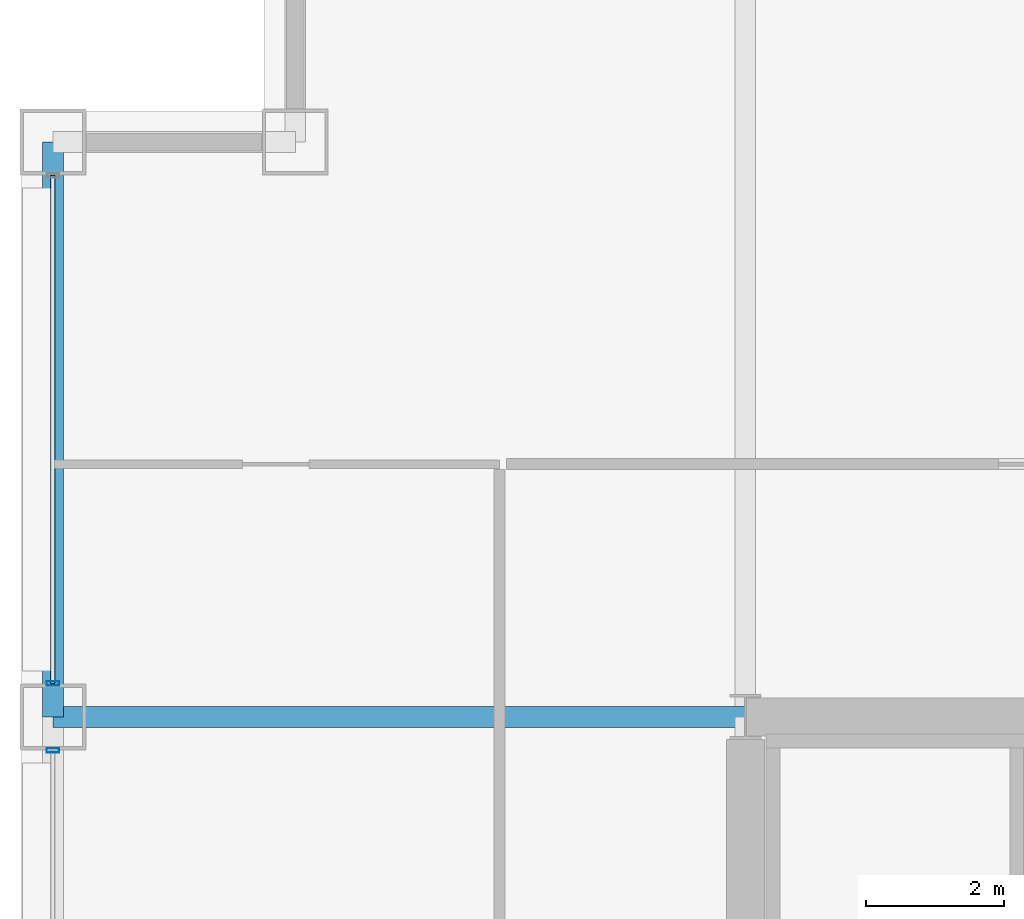
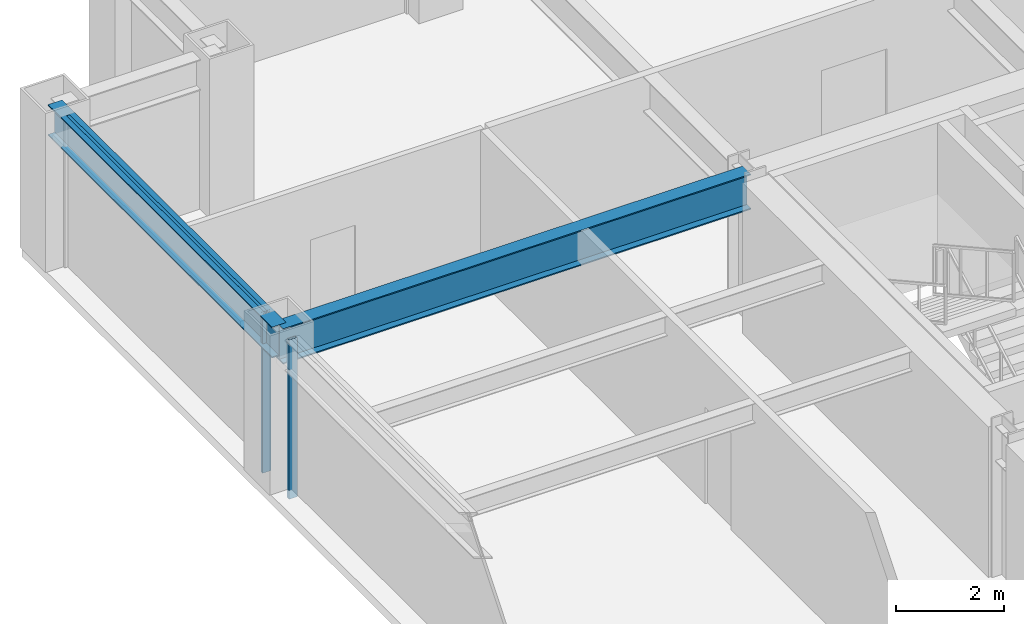
# One storey, part 15 of 31: 3 members, 2 beams, 2 elements without a shape of their own.
"""IFC4 building model written with IfcOpenShell, lengths in metres."""

from ifc_helpers import new_model, si_unit, direction, frame, origin, origin_2d, place, context, subcontext, project, spatial, hollow_rectangle, i_section, extrude, material, layer, layer_set, material_profile, profile_set, type_object, element, aggregate, save


model = new_model("IFC4")

# Units and contexts
model_context = context("Model", 3, precision=1e-05, world=origin(), true_north=direction((0.0, 1.0)))
body_context = subcontext(model_context, "Body", "Model", "MODEL_VIEW")
ifc_project = project(units=[si_unit("LENGTHUNIT", "METRE"), si_unit("AREAUNIT", "SQUARE_METRE"), si_unit("VOLUMEUNIT", "CUBIC_METRE"), si_unit("PLANEANGLEUNIT", "RADIAN"), si_unit("MASSUNIT", "GRAM", prefix="KILO")], contexts=[model_context])

# Site, building, storey
site_placement = place(None, origin())
site = spatial("IfcSite", under=ifc_project, at=site_placement, CompositionType="ELEMENT")
building_placement = place(site_placement, origin())
building = spatial("IfcBuilding", under=site, at=building_placement, Name="Brelmoor Portico Tower", CompositionType="ELEMENT")
storey_placement = place(building_placement, frame((0.0, 0.0, 38.39990234375)))
storey = spatial("IfcBuildingStorey", under=building, at=storey_placement, Name="L09", CompositionType="ELEMENT", Elevation=38.39990234375)

# Beams
ifc_material_1 = material(Name="Steel Q355B", Category="steel")
ifc_material_profile_1 = material_profile(ifc_material_1, i_section(OverallWidth=0.300048828125, OverallDepth=0.800048828125, WebThickness=0.013916015625, FlangeThickness=0.02587890625, at=origin_2d()), Name="HN 800x300x14x26")
ifc_profile_set_1 = profile_set([ifc_material_profile_1], Name="Steel Q355B")
beam_type_1 = type_object("IfcBeamType", Name="BM-PG-800", PredefinedType="BEAM", material=ifc_profile_set_1)
beam_1_placement = place(storey_placement, frame((-24.550048828125, 9.75, 3.0), z_axis=(1.0, 0.0, 0.0), x_axis=(0.0, 1.0, 0.0)))
element("IfcBeam", 1, at=beam_1_placement, inside=storey, type_object=beam_type_1, Name="L09 Primary Floor Girder PG-27", PredefinedType="BEAM", context=body_context, shape_type="SweptSolid", body=[
    extrude(i_section(OverallWidth=0.300048828125, OverallDepth=0.800048828125, WebThickness=0.013916015625, FlangeThickness=0.02587890625, at=origin_2d()), origin(), (0.0, 0.0, 1.0), 10.0),
])
ifc_material_profile_2 = material_profile(ifc_material_1, i_section(OverallWidth=0.300048828125, OverallDepth=0.699951171875, WebThickness=0.012939453125, FlangeThickness=0.02392578125, at=origin_2d()), Name="HN 700x300x13x24")
ifc_profile_set_2 = profile_set([ifc_material_profile_2], Name="Steel Q355B")
beam_type_2 = type_object("IfcBeamType", Name="BM-SP-700", PredefinedType="SPANDREL", material=ifc_profile_set_2)
beam_2_placement = place(storey_placement, frame((-24.550048828125, 9.75, 3.050048828125), z_axis=(0.0, 1.0, 0.0), x_axis=(-1.0, 0.0, 0.0)))
element("IfcBeam", 2, at=beam_2_placement, inside=storey, type_object=beam_type_2, Name="L09 Perimeter Spandrel Beam SP-17", PredefinedType="SPANDREL", context=body_context, shape_type="SweptSolid", body=[
    extrude(i_section(OverallWidth=0.300048828125, OverallDepth=0.699951171875, WebThickness=0.012939453125, FlangeThickness=0.02392578125, at=origin_2d()), origin(), (0.0, 0.0, 1.0), 8.300048828125),
])

# Curtain wall, member
ifc_material_2 = material(Name="Anodised Aluminium Alloy 6063-T6", Category="aluminium")
ifc_layer = layer(ifc_material_2, 0.179931640625)
ifc_layer_set = layer_set([ifc_layer], Name="Anodised Aluminium Alloy 6063-T6")
curtain_wall_type = type_object("IfcCurtainWallType", Name="CW-TOWER-Z1-XB", PredefinedType="NOTDEFINED", material=ifc_layer_set)
curtain_wall_1_placement = place(storey_placement, origin())
curtain_wall_1 = element("IfcCurtainWall", 3, at=curtain_wall_1_placement, inside=storey, type_object=curtain_wall_type, Name="L09 Curtain Wall CW-L09-03-2", PredefinedType="NOTDEFINED")
ifc_material_profile_3 = material_profile(ifc_material_2, hollow_rectangle(XDim=0.06494140625, YDim=0.179931640625, WallThickness=0.00390625, at=origin_2d()), Name="ALU MULLION 65x180")
ifc_profile_set_3 = profile_set([ifc_material_profile_3], Name="Anodised Aluminium Alloy 6063-T6")
member_type_1 = type_object("IfcMemberType", Name="MB-CW-MULL-180", PredefinedType="MULLION", material=ifc_profile_set_3)
member_1_placement = place(storey_placement, frame((-24.550048828125, 9.264892578125, -0.199951171875), z_axis=(0.0, 0.0, 1.0), x_axis=(0.0, 1.0, 0.0)))
member_1 = element("IfcMember", 4, at=member_1_placement, type_object=member_type_1, Name="CW-L09-03-2 Mullion 02", PredefinedType="MULLION", context=body_context, shape_type="SweptSolid", body=[
    extrude(hollow_rectangle(XDim=0.06494140625, YDim=0.179931640625, WallThickness=0.00390625, at=origin_2d()), origin(), (0.0, 0.0, 1.0), 3.60009765625),
])
aggregate(curtain_wall_1, [member_1])

# Curtain wall, members
curtain_wall_2_placement = place(storey_placement, origin())
curtain_wall_2 = element("IfcCurtainWall", 5, at=curtain_wall_2_placement, inside=storey, type_object=curtain_wall_type, Name="L09 Curtain Wall CW-L09-03-3", PredefinedType="NOTDEFINED")
member_2_placement = place(storey_placement, frame((-24.550048828125, 10.235107421875, -0.199951171875), z_axis=(0.0, 0.0, 1.0), x_axis=(0.0, 1.0, 0.0)))
member_2 = element("IfcMember", 6, at=member_2_placement, type_object=member_type_1, Name="CW-L09-03-3 Mullion 00", PredefinedType="MULLION", context=body_context, shape_type="SweptSolid", body=[
    extrude(hollow_rectangle(XDim=0.06494140625, YDim=0.179931640625, WallThickness=0.00390625, at=origin_2d()), origin(), (0.0, 0.0, 1.0), 3.60009765625),
])
ifc_material_profile_4 = material_profile(ifc_material_2, hollow_rectangle(XDim=0.06494140625, YDim=0.139892578125, WallThickness=0.00390625, at=origin_2d()), Name="ALU TRANSOM 65x140")
ifc_profile_set_4 = profile_set([ifc_material_profile_4], Name="Anodised Aluminium Alloy 6063-T6")
member_type_2 = type_object("IfcMemberType", Name="MB-CW-TRAN-140", PredefinedType="USERDEFINED", material=ifc_profile_set_4)
member_3_placement = place(storey_placement, frame((-24.550048828125, 10.235107421875, 3.330078125), z_axis=(0.0, 1.0, 0.0), x_axis=(-1.0, 0.0, 0.0)))
member_3 = element("IfcMember", 7, at=member_3_placement, type_object=member_type_2, Name="CW-L09-03-3 Transom 1-00", ObjectType="TRANSOM", PredefinedType="USERDEFINED", context=body_context, shape_type="SweptSolid", body=[
    extrude(hollow_rectangle(XDim=0.06494140625, YDim=0.139892578125, WallThickness=0.00390625, at=origin_2d()), origin(), (0.0, 0.0, 1.0), 7.329833984375),
])
aggregate(curtain_wall_2, [member_2, member_3])

save(model, "model.ifc")
